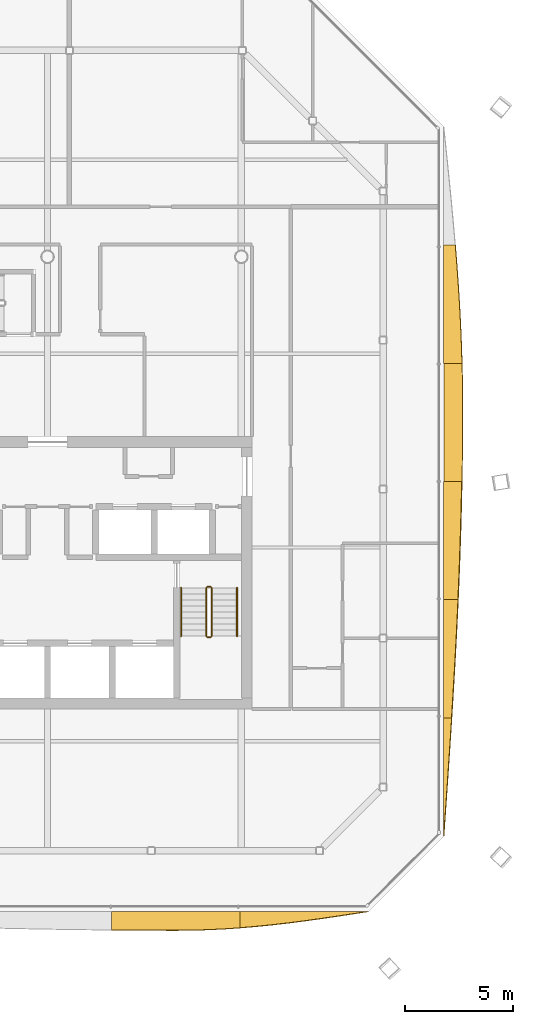
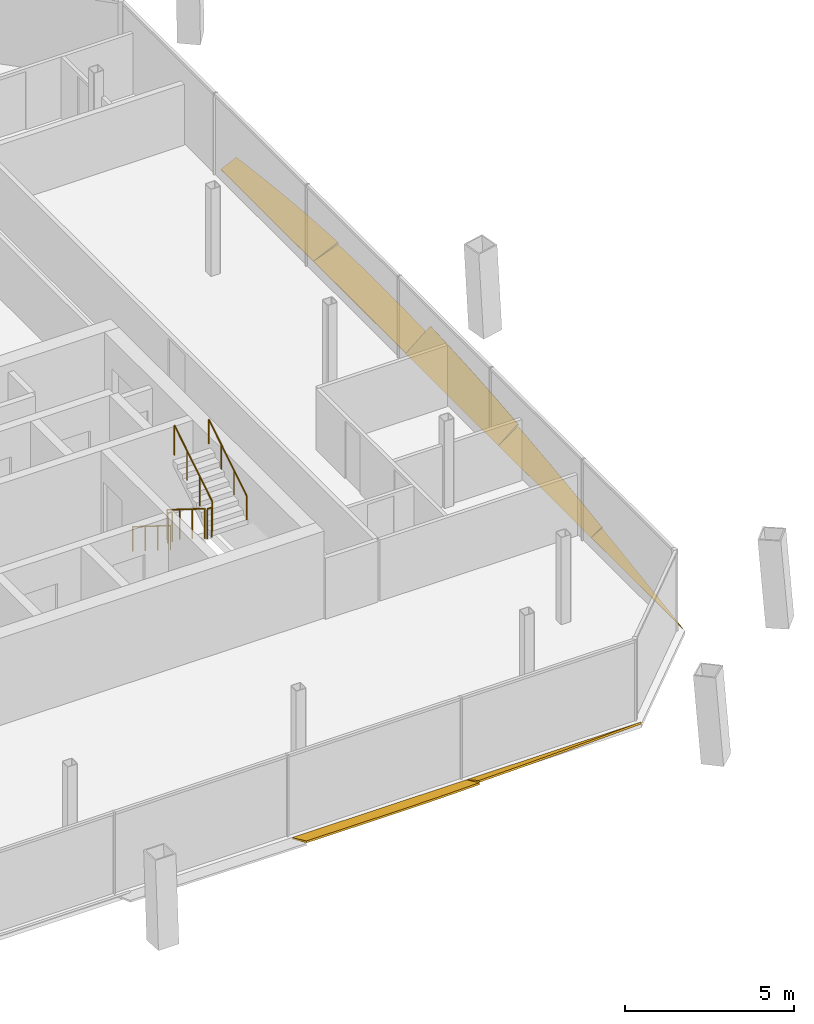
# One storey, part 19 of 20: 7 shading devices, 6 railings.
"""IFC4 building model written with IfcOpenShell, lengths in metres."""

from ifc_helpers import new_model, si_unit, direction, frame, origin, origin_2d, place, context, subcontext, project, spatial, polyline, circle, outline, extrude, material, layer, layer_set, type_object, element, save


model = new_model("IFC4")

# Units and contexts
model_context = context("Model", 3, precision=1e-05, world=origin(), true_north=direction((0.0, 1.0)))
body_context = subcontext(model_context, "Body", "Model", "MODEL_VIEW")
ifc_project = project(units=[si_unit("LENGTHUNIT", "METRE"), si_unit("AREAUNIT", "SQUARE_METRE"), si_unit("VOLUMEUNIT", "CUBIC_METRE"), si_unit("PLANEANGLEUNIT", "RADIAN"), si_unit("MASSUNIT", "GRAM", prefix="KILO")], contexts=[model_context])

# Site, building, storey
site_placement = place(None, origin())
site = spatial("IfcSite", under=ifc_project, at=site_placement, CompositionType="ELEMENT")
building_placement = place(site_placement, origin())
building = spatial("IfcBuilding", under=site, at=building_placement, Name="Tskaro Facet Tower", CompositionType="ELEMENT")
storey_placement = place(building_placement, frame((0.0, 0.0, 175.35009765625)))
storey = spatial("IfcBuildingStorey", under=building, at=storey_placement, Name="L43", CompositionType="ELEMENT", Elevation=175.35009765625)

# Shading devices
ifc_material_1 = material(Name="Bronze anodised aluminium 6063-T6", Category="aluminium")
ifc_layer = layer(ifc_material_1, 0.06005859375, Name="Bronze anodised aluminium 6063-T6")
ifc_layer_set = layer_set([ifc_layer], Name="Bronze anodised aluminium 6063-T6")
shading_device_type = type_object("IfcShadingDeviceType", Name="Bronze sun blade (FN1)", PredefinedType="USERDEFINED", material=ifc_layer_set)
shading_device_1_placement = place(storey_placement, frame((2.968017578125, -21.400634765625, 0.05419921875), z_axis=(-4.757517e-06, 0.42268238375, 0.906277883678), x_axis=(0.999999999989, 2.010919e-06, 4.311632e-06)))
element("IfcShadingDevice", 1, at=shading_device_1_placement, inside=storey, type_object=shading_device_type, Name="Fin blade south 5", ObjectType="FIN", PredefinedType="USERDEFINED", context=body_context, shape_type="SweptSolid", body=[
    extrude(outline(polyline([(0.0, 0.0), (5.96801757805746, 2.5275537592323452e-21), (5.968017578250432, -0.8391633572476029), (5.221923827615996, -0.8943249277097367), (4.476074218712718, -0.9339704192579124), (3.729980469167208, -0.9574509255115423), (3.055664062791955, -0.9644419932803325), (2.9838867179901225, -0.964338799338986), (2.2380371095347065, -0.9633505684018501), (1.4919433596803429, -0.9604007469566962), (0.7460937496770267, -0.9554893350035245), (-1.108945912731813e-10, -0.9490439796739756), (0.0, 0.0)])), origin(), (0.0, 0.0, -1.0), 0.06005859375),
])
shading_device_2_placement = place(storey_placement, frame((8.93603515625, -21.39599609375, 0.0517578125), z_axis=(-1.34046e-07, 0.500106990273, 0.865963624109), x_axis=(1.0, 6.7037e-08, 1.16079e-07)))
element("IfcShadingDevice", 2, at=shading_device_2_placement, inside=storey, type_object=shading_device_type, Name="Fin blade south 6", ObjectType="FIN", PredefinedType="USERDEFINED", context=body_context, shape_type="SweptSolid", body=[
    extrude(outline(polyline([(0.0, 0.0), (5.968017578124947, 0.0), (5.221923828124683, -0.13278758991934056), (4.476074218766992, -0.26339545890265464), (3.7299804687507967, -0.3890661798139822), (2.9838867187426175, -0.5082870583844755), (2.238037109373055, -0.6185448603445187), (1.49194335937695, -0.7180826985589198), (0.7458496093641431, -0.805143685892487), (1.1547388900180845e-12, -0.8782151280763721), (0.0, 0.0)])), origin(), (0.0, 0.0, -1.0), 0.06005859375),
])
shading_device_3_placement = place(storey_placement, frame((18.39599609375, -17.904052734375, 0.0517578125), z_axis=(-0.500431791704, 2.5034747e-05, 0.8657759648), x_axis=(1.2528183e-05, 0.999999999687, -2.1674482e-05)))
element("IfcShadingDevice", 3, at=shading_device_3_placement, inside=storey, type_object=shading_device_type, Name="Fin blade east 1", ObjectType="FIN", PredefinedType="USERDEFINED", context=body_context, shape_type="SweptSolid", body=[
    extrude(outline(polyline([(0.0, 0.0), (5.489990232654606, 9.300405217239967e-21), (5.489990236079016, -0.4251626577241564), (4.803710936959812, -0.37474313323455455), (4.117431639247935, -0.32344514402841573), (3.4311523451763706, -0.2709351432900827), (2.7448730472205116, -0.2176688535656476), (2.058837889063921, -0.1638576459403328), (1.3725585894567514, -0.10950152041413831), (0.6862792951412033, -0.05502321915750899), (0.0, 0.0)])), origin(), (0.0, 0.0, -1.0), 0.06005859375),
])
shading_device_4_placement = place(storey_placement, frame((18.3916015625, -12.4140625, 0.049072265625), z_axis=(-0.573572345361, 2.324174e-06, 0.819154908812), x_axis=(1.333082e-06, 0.999999999997, -1.903858e-06)))
element("IfcShadingDevice", 4, at=shading_device_4_placement, inside=storey, type_object=shading_device_type, Name="Fin blade east 2", ObjectType="FIN", PredefinedType="USERDEFINED", context=body_context, shape_type="SweptSolid", body=[
    extrude(outline(polyline([(0.0, 0.0), (5.489746093735173, 0.0), (5.48974609375714, -0.8151317668402412), (4.803466796732554, -0.7767302789692129), (4.117187499893146, -0.7358886853016284), (3.4311523438639178, -0.692606985837488), (2.7448730471161698, -0.6475652231813704), (2.058593749949443, -0.6005634083418658), (1.3723144531540052, -0.5516614979995043), (0.6860351561256981, -0.501339545767455), (-4.567030096093737e-11, -0.44945751933483835), (0.0, 0.0)])), origin(), (0.0, 0.0, -1.0), 0.06005859375),
])
shading_device_5_placement = place(storey_placement, frame((18.387451171875, -6.92431640625, 0.0458984375), z_axis=(-0.642781559216, -1.082716e-05, 0.766049519949), x_axis=(-6.959499e-06, 0.999999999941, 8.29414e-06)))
element("IfcShadingDevice", 5, at=shading_device_5_placement, inside=storey, type_object=shading_device_type, Name="Fin blade east 3", ObjectType="FIN", PredefinedType="USERDEFINED", context=body_context, shape_type="SweptSolid", body=[
    extrude(outline(polyline([(0.0, 0.0), (5.489746093428225, -4.649995813466845e-21), (5.489746094714968, -1.1005737185686721), (4.803466797857566, -1.0827247179816115), (4.117431640391684, -1.0615931174840953), (3.4311523430922852, -1.0373358461677384), (2.7448730465843574, -1.0099529040325408), (2.058593749168803, -0.9796313148870945), (1.372558593495545, -0.9465280078230147), (0.6862792962896753, -0.9104860537486864), (2.0111614961379872e-10, -0.8716623817557243), (0.0, 0.0)])), origin(), (0.0, 0.0, -1.0), 0.06005859375),
])
shading_device_6_placement = place(storey_placement, frame((18.405517578125, -1.4345703125, 0.056396484375), z_axis=(-0.341909018093, 1.3037427e-05, 0.939733059532), x_axis=(4.457614e-06, 0.999999999915, -1.2251701e-05)))
element("IfcShadingDevice", 6, at=shading_device_6_placement, inside=storey, type_object=shading_device_type, Name="Fin blade east 4", ObjectType="FIN", PredefinedType="USERDEFINED", context=body_context, shape_type="SweptSolid", body=[
    extrude(outline(polyline([(0.0, 0.0), (5.489990233908421, 0.0), (5.489990233804257, -0.8996828486983528), (4.80371093675334, -0.9160566500099574), (4.117431640503835, -0.9261729379930037), (3.431152343967455, -0.929802285630985), (3.3598632814735137, -0.929802285630985), (2.744873045788779, -0.9288011036835806), (2.0588378912196417, -0.9248588551477152), (1.3725585941160925, -0.9183719148026501), (0.6862792970059645, -0.9090273817505014), (-2.0135960973074867e-09, -0.8971381568891532), (0.0, 0.0)])), origin(), (0.0, 0.0, -1.0), 0.06005859375),
])
shading_device_7_placement = place(storey_placement, frame((18.400634765625, 4.055419921875, 0.05419921875), z_axis=(-0.422682338103, -2.2407302e-05, 0.906277904703), x_axis=(-9.471171e-06, 0.999999999749, 2.0307242e-05)))
element("IfcShadingDevice", 7, at=shading_device_7_placement, inside=storey, type_object=shading_device_type, Name="Fin blade east 5", ObjectType="FIN", PredefinedType="USERDEFINED", context=body_context, shape_type="SweptSolid", body=[
    extrude(outline(polyline([(0.0, 0.0), (5.489746092371835, -9.29999162693369e-21), (5.489746095001984, -0.5894762508057807), (4.80346679629143, -0.650316204913778), (4.1171874972273494, -0.7065692002596905), (3.431152340746981, -0.7580139775893847), (2.744873047912744, -0.804429277648727), (2.0585937517462285, -0.8453874533231301), (1.3723144545597332, -0.8806672453584605), (0.6860351537077316, -0.909944200570358), (-2.9147167114526438e-09, -0.9331002536349157), (0.0, 0.0)])), origin(), (0.0, 0.0, -1.0), 0.06005859375),
])

# Railings
ifc_material_2 = material(Name="Stainless steel", Category="steel")
railing_type_1 = type_object("IfcRailingType", Name="RL-GUARD-1100", PredefinedType="GUARDRAIL", material=ifc_material_2)
railing_1_placement = place(storey_placement, frame((7.375, -6.375, 0.1748046875)))
element("IfcRailing", 8, at=railing_1_placement, inside=storey, type_object=railing_type_1, Name="L43 ST-2 stair guard 1", PredefinedType="GUARDRAIL", context=body_context, shape_type="SweptSolid", body=[
    extrude(circle(Radius=0.02392578125, at=origin_2d()), frame((0.0, 0.0, 1.076171875), z_axis=(0.0, -0.847972341737, 0.530040477369), x_axis=(1.0, 0.0, 0.0)), (0.0, 0.0, 1.0), 2.6416015625),
    extrude(circle(Radius=0.02099609375, at=origin_2d()), origin(), (0.0, 0.0, 1.0), 1.052001953125),
    extrude(circle(Radius=0.02099609375, at=origin_2d()), frame((0.0, -0.74658203125, 0.466796875)), (0.0, 0.0, 1.0), 1.052001953125),
    extrude(circle(Radius=0.02099609375, at=origin_2d()), frame((0.0, -1.493408203125, 0.933349609375)), (0.0, 0.0, 1.0), 1.052001953125),
    extrude(circle(Radius=0.02099609375, at=origin_2d()), frame((0.0, -2.239990234375, 1.400146484375)), (0.0, 0.0, 1.0), 1.052001953125),
])
railing_2_placement = place(storey_placement, frame((7.425048828125, -8.6650390625, 1.574951171875)))
element("IfcRailing", 9, at=railing_2_placement, inside=storey, type_object=railing_type_1, Name="L43 ST-2 stair guard 2", PredefinedType="GUARDRAIL", context=body_context, shape_type="SweptSolid", body=[
    extrude(circle(Radius=0.02392578125, at=origin_2d()), frame((0.0, 0.0, 1.076171875), z_axis=(1.0, 0.0, 0.0), x_axis=(0.0, 1.0, 0.0)), (0.0, 0.0, 1.0), 0.14990234375),
    extrude(circle(Radius=0.02099609375, at=origin_2d()), origin(), (0.0, 0.0, 1.0), 1.052001953125),
    extrude(circle(Radius=0.02099609375, at=origin_2d()), frame((0.14990234375, 0.0, 0.0)), (0.0, 0.0, 1.0), 1.052001953125),
])
railing_3_placement = place(storey_placement, frame((7.625, -8.614990234375, 1.75)))
element("IfcRailing", 10, at=railing_3_placement, inside=storey, type_object=railing_type_1, Name="L43 ST-2 stair guard 3", PredefinedType="GUARDRAIL", context=body_context, shape_type="SweptSolid", body=[
    extrude(circle(Radius=0.02392578125, at=origin_2d()), frame((0.0, 0.0, 1.076171875), z_axis=(0.0, 0.848013881152, 0.529974015752), x_axis=(-1.0, 0.0, 0.0)), (0.0, 0.0, 1.0), 2.641357421875),
    extrude(circle(Radius=0.02099609375, at=origin_2d()), origin(), (0.0, 0.0, 1.0), 1.052001953125),
    extrude(circle(Radius=0.02099609375, at=origin_2d()), frame((0.0, 0.74658203125, 0.466552734375)), (0.0, 0.0, 1.0), 1.052001953125),
    extrude(circle(Radius=0.02099609375, at=origin_2d()), frame((0.0, 1.493408203125, 0.933349609375)), (0.0, 0.0, 1.0), 1.052001953125),
    extrude(circle(Radius=0.02099609375, at=origin_2d()), frame((0.0, 2.239990234375, 1.39990234375)), (0.0, 0.0, 1.0), 1.052001953125),
])
railing_4_placement = place(storey_placement, frame((7.425048828125, -6.324951171875, 0.0)))
element("IfcRailing", 11, at=railing_4_placement, inside=storey, type_object=railing_type_1, Name="L43 ST-2 stair guard 4", PredefinedType="GUARDRAIL", context=body_context, shape_type="SweptSolid", body=[
    extrude(circle(Radius=0.02392578125, at=origin_2d()), frame((0.0, 0.0, 1.076171875), z_axis=(1.0, 0.0, 0.0), x_axis=(0.0, 1.0, 0.0)), (0.0, 0.0, 1.0), 0.14990234375),
    extrude(circle(Radius=0.02099609375, at=origin_2d()), origin(), (0.0, 0.0, 1.0), 1.052001953125),
    extrude(circle(Radius=0.02099609375, at=origin_2d()), frame((0.14990234375, 0.0, 0.0)), (0.0, 0.0, 1.0), 1.052001953125),
])
railing_type_2 = type_object("IfcRailingType", Name="RL-HANDRAIL-900", PredefinedType="HANDRAIL", material=ifc_material_2)
railing_5_placement = place(storey_placement, frame((6.199951171875, -6.375, 0.1748046875)))
element("IfcRailing", 12, at=railing_5_placement, inside=storey, type_object=railing_type_2, Name="L43 ST-2 stair handrail 1", PredefinedType="HANDRAIL", context=body_context, shape_type="SweptSolid", body=[
    extrude(circle(Radius=0.02392578125, at=origin_2d()), frame((0.0, 0.0, 0.8759765625), z_axis=(0.0, -0.847972341737, 0.530040477369), x_axis=(1.0, 0.0, 0.0)), (0.0, 0.0, 1.0), 2.6416015625),
    extrude(circle(Radius=0.02099609375, at=origin_2d()), origin(), (0.0, 0.0, 1.0), 0.851806640625),
    extrude(circle(Radius=0.02099609375, at=origin_2d()), frame((0.0, -0.74658203125, 0.466796875)), (0.0, 0.0, 1.0), 0.851806640625),
    extrude(circle(Radius=0.02099609375, at=origin_2d()), frame((0.0, -1.493408203125, 0.933349609375)), (0.0, 0.0, 1.0), 0.851806640625),
    extrude(circle(Radius=0.02099609375, at=origin_2d()), frame((0.0, -2.239990234375, 1.400146484375)), (0.0, 0.0, 1.0), 0.851806640625),
])
railing_6_placement = place(storey_placement, frame((8.800048828125, -8.614990234375, 1.75)))
element("IfcRailing", 13, at=railing_6_placement, inside=storey, type_object=railing_type_2, Name="L43 ST-2 stair handrail 2", PredefinedType="HANDRAIL", context=body_context, shape_type="SweptSolid", body=[
    extrude(circle(Radius=0.02392578125, at=origin_2d()), frame((0.0, 0.0, 0.8759765625), z_axis=(0.0, 0.848013881152, 0.529974015752), x_axis=(-1.0, 0.0, 0.0)), (0.0, 0.0, 1.0), 2.641357421875),
    extrude(circle(Radius=0.02099609375, at=origin_2d()), origin(), (0.0, 0.0, 1.0), 0.851806640625),
    extrude(circle(Radius=0.02099609375, at=origin_2d()), frame((0.0, 0.74658203125, 0.466552734375)), (0.0, 0.0, 1.0), 0.851806640625),
    extrude(circle(Radius=0.02099609375, at=origin_2d()), frame((0.0, 1.493408203125, 0.933349609375)), (0.0, 0.0, 1.0), 0.851806640625),
    extrude(circle(Radius=0.02099609375, at=origin_2d()), frame((0.0, 2.239990234375, 1.39990234375)), (0.0, 0.0, 1.0), 0.851806640625),
])

save(model, "model.ifc")
